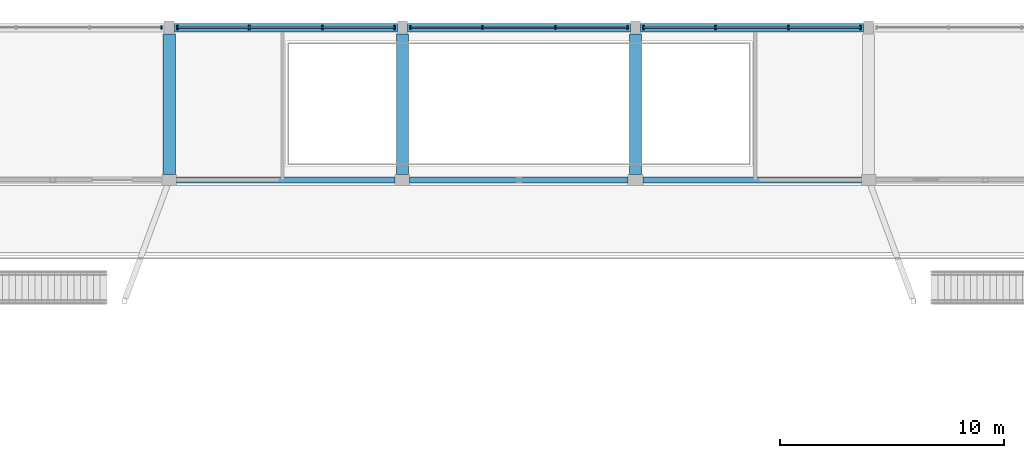
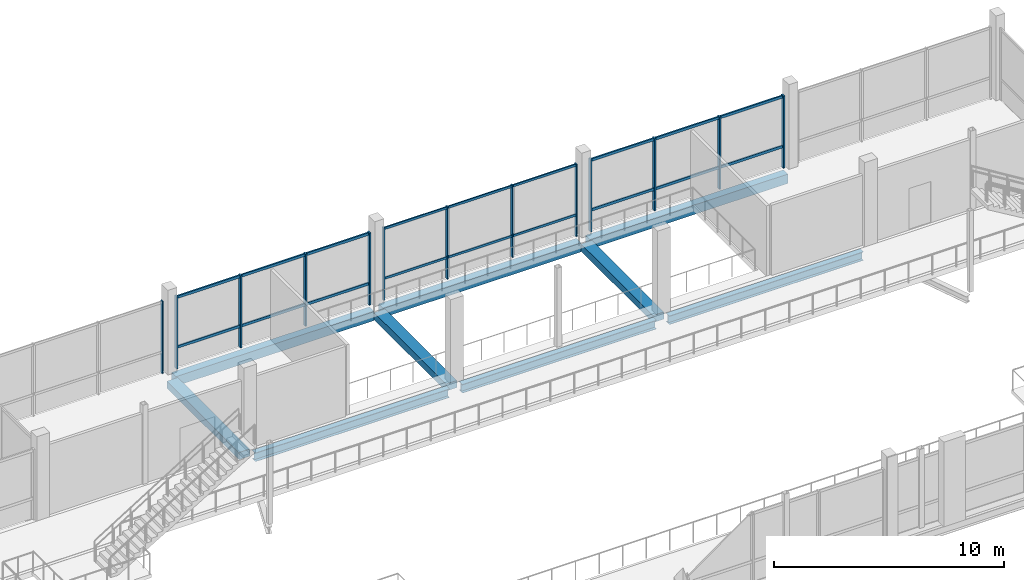
# One storey, part 30 of 95: 19 members, 9 beams, 4 elements without a shape of their own.
"""IFC4 building model written with IfcOpenShell, lengths in metres."""

from ifc_helpers import new_model, si_unit, derived_unit, direction, frame, origin, origin_2d, place, context, subcontext, project, spatial, rectangle, i_section, extrude, material, material_profile, profile_set, type_object, element, aggregate, save


model = new_model("IFC4")

# Units and contexts
model_context = context("Model", 3, precision=1e-05, world=origin(), true_north=direction((0.0, 1.0)))
body_context = subcontext(model_context, "Body", "Model", "MODEL_VIEW")
ifc_project = project(units=[si_unit("LENGTHUNIT", "METRE"), si_unit("AREAUNIT", "SQUARE_METRE"), si_unit("VOLUMEUNIT", "CUBIC_METRE"), si_unit("PLANEANGLEUNIT", "RADIAN"), si_unit("MASSUNIT", "GRAM", prefix="KILO"), derived_unit("THERMALTRANSMITTANCEUNIT", [(si_unit("POWERUNIT", "WATT"), 1), (si_unit("LENGTHUNIT", "METRE"), -2), (si_unit("THERMODYNAMICTEMPERATUREUNIT", "KELVIN"), -1)])], contexts=[model_context])

# Site, building, storey
site_placement = place(None, origin())
site = spatial("IfcSite", under=ifc_project, at=site_placement, CompositionType="ELEMENT")
building_placement = place(site_placement, origin())
building = spatial("IfcBuilding", under=site, at=building_placement, Name="Braskholm Square Health Centre", CompositionType="ELEMENT")
storey_placement = place(building_placement, frame((0.0, 0.0, 4.800048828125)))
storey = spatial("IfcBuildingStorey", under=building, at=storey_placement, Name="L02", CompositionType="ELEMENT", Elevation=4.800048828125)

# Curtain wall, member
ifc_material_1 = material(Name="Low-E triple insulating glass (VLT 0.64)", Category="glass")
curtain_wall_type = type_object("IfcCurtainWallType", Name="UnitisedCurtainWall6200x3800", PredefinedType="NOTDEFINED", material=ifc_material_1)
curtain_wall_1_placement = place(storey_placement, origin())
curtain_wall_1 = element("IfcCurtainWall", 1, at=curtain_wall_1_placement, inside=storey, type_object=curtain_wall_type, Name="Hydrotherapy North unitised curtain wall CW-L02-0242", PredefinedType="NOTDEFINED")
ifc_material_2 = material(Name="Architectural bronze anodised aluminium", Category="aluminium")
ifc_material_profile_1 = material_profile(ifc_material_2, rectangle(XDim=0.06494140625, YDim=0.14990234375, at=origin_2d()), Name="ALU-65X150")
ifc_profile_set_1 = profile_set([ifc_material_profile_1], Name="Architectural bronze anodised aluminium")
member_type_1 = type_object("IfcMemberType", Name="CurtainWallMullion65x150", PredefinedType="MULLION", material=ifc_profile_set_1)
member_1_placement = place(storey_placement, frame((68.041259765625, 113.800048828125, 0.0), z_axis=(0.0, 0.0, 1.0), x_axis=(1.0, 0.0, 0.0)))
member_1 = element("IfcMember", 2, at=member_1_placement, type_object=member_type_1, Name="CW-L02-0242 vertical mullion 1", PredefinedType="MULLION", context=body_context, shape_type="SweptSolid", body=[
    extrude(rectangle(XDim=0.06494140625, YDim=0.14990234375, at=origin_2d()), origin(), (0.0, 0.0, 1.0), 3.8369140625),
])
aggregate(curtain_wall_1, [member_1])

# Curtain wall, members
curtain_wall_2_placement = place(storey_placement, origin())
curtain_wall_2 = element("IfcCurtainWall", 3, at=curtain_wall_2_placement, inside=storey, type_object=curtain_wall_type, Name="Hydrotherapy North unitised curtain wall CW-L02-0244", PredefinedType="NOTDEFINED")
member_2_placement = place(storey_placement, frame((88.84130859375, 113.800048828125, 0.0), z_axis=(0.0, 0.0, 1.0), x_axis=(1.0, 0.0, 0.0)))
member_2 = element("IfcMember", 4, at=member_2_placement, type_object=member_type_1, Name="CW-L02-0244 vertical mullion 1", PredefinedType="MULLION", context=body_context, shape_type="SweptSolid", body=[
    extrude(rectangle(XDim=0.06494140625, YDim=0.14990234375, at=origin_2d()), origin(), (0.0, 0.0, 1.0), 3.8369140625),
])
member_3_placement = place(storey_placement, frame((85.63330078125, 113.800048828125, 0.0), z_axis=(0.0, 0.0, 1.0), x_axis=(1.0, 0.0, 0.0)))
member_3 = element("IfcMember", 5, at=member_3_placement, type_object=member_type_1, Name="CW-L02-0244 vertical mullion 2", PredefinedType="MULLION", context=body_context, shape_type="SweptSolid", body=[
    extrude(rectangle(XDim=0.06494140625, YDim=0.14990234375, at=origin_2d()), origin(), (0.0, 0.0, 1.0), 3.8369140625),
])
member_4_placement = place(storey_placement, frame((82.36669921875, 113.800048828125, 0.0), z_axis=(0.0, 0.0, 1.0), x_axis=(1.0, 0.0, 0.0)))
member_4 = element("IfcMember", 6, at=member_4_placement, type_object=member_type_1, Name="CW-L02-0244 vertical mullion 3", PredefinedType="MULLION", context=body_context, shape_type="SweptSolid", body=[
    extrude(rectangle(XDim=0.06494140625, YDim=0.14990234375, at=origin_2d()), origin(), (0.0, 0.0, 1.0), 3.8369140625),
])
member_5_placement = place(storey_placement, frame((79.15869140625, 113.800048828125, 0.0), z_axis=(0.0, 0.0, 1.0), x_axis=(1.0, 0.0, 0.0)))
member_5 = element("IfcMember", 7, at=member_5_placement, type_object=member_type_1, Name="CW-L02-0244 vertical mullion 4", PredefinedType="MULLION", context=body_context, shape_type="SweptSolid", body=[
    extrude(rectangle(XDim=0.06494140625, YDim=0.14990234375, at=origin_2d()), origin(), (0.0, 0.0, 1.0), 3.8369140625),
])

curtain_wall_3_placement = place(storey_placement, origin())
curtain_wall_3 = element("IfcCurtainWall", 8, at=curtain_wall_3_placement, inside=storey, type_object=curtain_wall_type, Name="Hydrotherapy North unitised curtain wall CW-L02-0243", PredefinedType="NOTDEFINED")
ifc_material_profile_2 = material_profile(ifc_material_2, rectangle(XDim=0.074951171875, YDim=0.179931640625, at=origin_2d()), Name="ALU-75X180")
ifc_profile_set_2 = profile_set([ifc_material_profile_2], Name="Architectural bronze anodised aluminium")
member_type_2 = type_object("IfcMemberType", Name="CurtainWallMullion75x180", PredefinedType="MULLION", material=ifc_profile_set_2)
member_6_placement = place(storey_placement, frame((78.441162109375, 113.800048828125, 0.0), z_axis=(0.0, 0.0, 1.0), x_axis=(1.0, 0.0, 0.0)))
member_6 = element("IfcMember", 9, at=member_6_placement, type_object=member_type_2, Name="CW-L02-0243 vertical mullion 1", PredefinedType="MULLION", context=body_context, shape_type="SweptSolid", body=[
    extrude(rectangle(XDim=0.074951171875, YDim=0.179931640625, at=origin_2d()), origin(), (0.0, 0.0, 1.0), 3.8369140625),
])
member_7_placement = place(storey_placement, frame((75.2333984375, 113.800048828125, 0.0), z_axis=(0.0, 0.0, 1.0), x_axis=(1.0, 0.0, 0.0)))
member_7 = element("IfcMember", 10, at=member_7_placement, type_object=member_type_2, Name="CW-L02-0243 vertical mullion 2", PredefinedType="MULLION", context=body_context, shape_type="SweptSolid", body=[
    extrude(rectangle(XDim=0.074951171875, YDim=0.179931640625, at=origin_2d()), origin(), (0.0, 0.0, 1.0), 3.8369140625),
])
member_8_placement = place(storey_placement, frame((71.966796875, 113.800048828125, 0.0), z_axis=(0.0, 0.0, 1.0), x_axis=(1.0, 0.0, 0.0)))
member_8 = element("IfcMember", 11, at=member_8_placement, type_object=member_type_2, Name="CW-L02-0243 vertical mullion 3", PredefinedType="MULLION", context=body_context, shape_type="SweptSolid", body=[
    extrude(rectangle(XDim=0.074951171875, YDim=0.179931640625, at=origin_2d()), origin(), (0.0, 0.0, 1.0), 3.8369140625),
])
member_9_placement = place(storey_placement, frame((68.7587890625, 113.800048828125, 0.0), z_axis=(0.0, 0.0, 1.0), x_axis=(1.0, 0.0, 0.0)))
member_9 = element("IfcMember", 12, at=member_9_placement, type_object=member_type_2, Name="CW-L02-0243 vertical mullion 4", PredefinedType="MULLION", context=body_context, shape_type="SweptSolid", body=[
    extrude(rectangle(XDim=0.074951171875, YDim=0.179931640625, at=origin_2d()), origin(), (0.0, 0.0, 1.0), 3.8369140625),
])

curtain_wall_4_placement = place(storey_placement, origin())
curtain_wall_4 = element("IfcCurtainWall", 13, at=curtain_wall_4_placement, inside=storey, type_object=curtain_wall_type, Name="Hydrotherapy North unitised curtain wall CW-L02-0245", PredefinedType="NOTDEFINED")
member_10_placement = place(storey_placement, frame((99.2412109375, 113.800048828125, 0.0), z_axis=(0.0, 0.0, 1.0), x_axis=(1.0, 0.0, 0.0)))
member_10 = element("IfcMember", 14, at=member_10_placement, type_object=member_type_2, Name="CW-L02-0245 vertical mullion 1", PredefinedType="MULLION", context=body_context, shape_type="SweptSolid", body=[
    extrude(rectangle(XDim=0.074951171875, YDim=0.179931640625, at=origin_2d()), origin(), (0.0, 0.0, 1.0), 3.8369140625),
])
member_11_placement = place(storey_placement, frame((96.033203125, 113.800048828125, 0.0), z_axis=(0.0, 0.0, 1.0), x_axis=(1.0, 0.0, 0.0)))
member_11 = element("IfcMember", 15, at=member_11_placement, type_object=member_type_2, Name="CW-L02-0245 vertical mullion 2", PredefinedType="MULLION", context=body_context, shape_type="SweptSolid", body=[
    extrude(rectangle(XDim=0.074951171875, YDim=0.179931640625, at=origin_2d()), origin(), (0.0, 0.0, 1.0), 3.8369140625),
])
member_12_placement = place(storey_placement, frame((92.7666015625, 113.800048828125, 0.0), z_axis=(0.0, 0.0, 1.0), x_axis=(1.0, 0.0, 0.0)))
member_12 = element("IfcMember", 16, at=member_12_placement, type_object=member_type_2, Name="CW-L02-0245 vertical mullion 3", PredefinedType="MULLION", context=body_context, shape_type="SweptSolid", body=[
    extrude(rectangle(XDim=0.074951171875, YDim=0.179931640625, at=origin_2d()), origin(), (0.0, 0.0, 1.0), 3.8369140625),
])
member_13_placement = place(storey_placement, frame((89.558837890625, 113.800048828125, 0.0), z_axis=(0.0, 0.0, 1.0), x_axis=(1.0, 0.0, 0.0)))
member_13 = element("IfcMember", 17, at=member_13_placement, type_object=member_type_2, Name="CW-L02-0245 vertical mullion 4", PredefinedType="MULLION", context=body_context, shape_type="SweptSolid", body=[
    extrude(rectangle(XDim=0.074951171875, YDim=0.179931640625, at=origin_2d()), origin(), (0.0, 0.0, 1.0), 3.8369140625),
])

# Member
ifc_material_profile_3 = material_profile(ifc_material_2, rectangle(XDim=0.06494140625, YDim=0.1201171875, at=origin_2d()), Name="ALU-65X120")
ifc_profile_set_3 = profile_set([ifc_material_profile_3], Name="Architectural bronze anodised aluminium")
member_type_3 = type_object("IfcMemberType", Name="CurtainWallTransom65x120", PredefinedType="USERDEFINED", material=ifc_profile_set_3)
member_14_placement = place(storey_placement, frame((88.85498046875, 113.800048828125, 1.119873046875), z_axis=(-1.0, 0.0, 0.0), x_axis=(0.0, -1.0, 0.0)))
member_14 = element("IfcMember", 18, at=member_14_placement, type_object=member_type_3, Name="CW-L02-0244 horizontal transom 1", ObjectType="TRANSOM", PredefinedType="USERDEFINED", context=body_context, shape_type="SweptSolid", body=[
    extrude(rectangle(XDim=0.06494140625, YDim=0.1201171875, at=origin_2d()), origin(), (0.0, 0.0, 1.0), 9.7099609375),
])

member_15_placement = place(storey_placement, frame((88.85498046875, 113.800048828125, 3.766845703125), z_axis=(-1.0, 0.0, 0.0), x_axis=(0.0, -1.0, 0.0)))
member_15 = element("IfcMember", 19, at=member_15_placement, type_object=member_type_3, Name="CW-L02-0244 horizontal transom 2", ObjectType="TRANSOM", PredefinedType="USERDEFINED", context=body_context, shape_type="SweptSolid", body=[
    extrude(rectangle(XDim=0.06494140625, YDim=0.1201171875, at=origin_2d()), origin(), (0.0, 0.0, 1.0), 9.7099609375),
])

aggregate(curtain_wall_2, [member_2, member_3, member_4, member_5, member_14, member_15])

ifc_material_profile_4 = material_profile(ifc_material_2, rectangle(XDim=0.074951171875, YDim=0.139892578125, at=origin_2d()), Name="ALU-75X140")
ifc_profile_set_4 = profile_set([ifc_material_profile_4], Name="Architectural bronze anodised aluminium")
member_type_4 = type_object("IfcMemberType", Name="CurtainWallTransom75x140", PredefinedType="USERDEFINED", material=ifc_profile_set_4)
member_16_placement = place(storey_placement, frame((78.455078125, 113.800048828125, 1.119873046875), z_axis=(-1.0, 0.0, 0.0), x_axis=(0.0, -1.0, 0.0)))
member_16 = element("IfcMember", 20, at=member_16_placement, type_object=member_type_4, Name="CW-L02-0243 horizontal transom 1", ObjectType="TRANSOM", PredefinedType="USERDEFINED", context=body_context, shape_type="SweptSolid", body=[
    extrude(rectangle(XDim=0.074951171875, YDim=0.139892578125, at=origin_2d()), origin(), (0.0, 0.0, 1.0), 9.7099609375),
])

member_17_placement = place(storey_placement, frame((78.455078125, 113.800048828125, 3.766845703125), z_axis=(-1.0, 0.0, 0.0), x_axis=(0.0, -1.0, 0.0)))
member_17 = element("IfcMember", 21, at=member_17_placement, type_object=member_type_4, Name="CW-L02-0243 horizontal transom 2", ObjectType="TRANSOM", PredefinedType="USERDEFINED", context=body_context, shape_type="SweptSolid", body=[
    extrude(rectangle(XDim=0.074951171875, YDim=0.139892578125, at=origin_2d()), origin(), (0.0, 0.0, 1.0), 9.7099609375),
])

aggregate(curtain_wall_3, [member_6, member_7, member_8, member_9, member_16, member_17])

member_18_placement = place(storey_placement, frame((99.2548828125, 113.800048828125, 1.119873046875), z_axis=(-1.0, 0.0, 0.0), x_axis=(0.0, -1.0, 0.0)))
member_18 = element("IfcMember", 22, at=member_18_placement, type_object=member_type_4, Name="CW-L02-0245 horizontal transom 1", ObjectType="TRANSOM", PredefinedType="USERDEFINED", context=body_context, shape_type="SweptSolid", body=[
    extrude(rectangle(XDim=0.074951171875, YDim=0.139892578125, at=origin_2d()), origin(), (0.0, 0.0, 1.0), 9.7099609375),
])

member_19_placement = place(storey_placement, frame((99.2548828125, 113.800048828125, 3.766845703125), z_axis=(-1.0, 0.0, 0.0), x_axis=(0.0, -1.0, 0.0)))
member_19 = element("IfcMember", 23, at=member_19_placement, type_object=member_type_4, Name="CW-L02-0245 horizontal transom 2", ObjectType="TRANSOM", PredefinedType="USERDEFINED", context=body_context, shape_type="SweptSolid", body=[
    extrude(rectangle(XDim=0.074951171875, YDim=0.139892578125, at=origin_2d()), origin(), (0.0, 0.0, 1.0), 9.7099609375),
])

aggregate(curtain_wall_4, [member_10, member_11, member_12, member_13, member_18, member_19])

# Beams
ifc_material_3 = material(Name="Concrete C35/45 (f'c = 35 MPa)", Category="concrete")
ifc_material_profile_5 = material_profile(ifc_material_3, rectangle(XDim=0.550048828125, YDim=0.3798828125, at=origin_2d()), Name="RCB-550X380")
ifc_profile_set_5 = profile_set([ifc_material_profile_5], Name="Concrete C35/45 (f'c = 35 MPa)")
beam_type_1 = type_object("IfcBeamType", Name="PrimaryBandBeam550x380", PredefinedType="BEAM", material=ifc_profile_set_5)
for number, where, z_axis, x_axis, name in (
    (24, (68.39990234375, 107.25, -0.489990234375), (0.0, 1.0, 0.0), (-1.0, 0.0, 0.0), "Beam 10/R-S L02"),
    (25, (78.800048828125, 107.25, -0.489990234375), (0.0, 1.0, 0.0), (-1.0, 0.0, 0.0), "Beam 11/R-S L02"),
    (26, (89.199951171875, 107.25, -0.489990234375), (0.0, 1.0, 0.0), (-1.0, 0.0, 0.0), "Beam 12/R-S L02"),
):
    element("IfcBeam", number, at=place(storey_placement, frame(where, z_axis=z_axis, x_axis=x_axis)), inside=storey, type_object=beam_type_1, Name=name, PredefinedType="BEAM", context=body_context, shape_type="SweptSolid", body=[
        extrude(rectangle(XDim=0.550048828125, YDim=0.3798828125, at=origin_2d()), origin(), (0.0, 0.0, 1.0), 6.27001953125),
    ])
ifc_material_4 = material(Name="Precast concrete C40/50 architectural white", Category="concrete")
ifc_material_profile_6 = material_profile(ifc_material_4, rectangle(XDim=0.3798828125, YDim=0.5, at=origin_2d()), Name="RCB-380X500")
ifc_profile_set_6 = profile_set([ifc_material_profile_6], Name="Precast concrete C40/50 architectural white")
beam_type_2 = type_object("IfcBeamType", Name="SpandrelPrecastEdge380x500", PredefinedType="SPANDREL", material=ifc_profile_set_6)
beam_1_placement = place(storey_placement, frame((68.6298828125, 113.800048828125, -0.550048828125), z_axis=(1.0, 0.0, 0.0), x_axis=(0.0, 1.0, 0.0)))
element("IfcBeam", 27, at=beam_1_placement, inside=storey, type_object=beam_type_2, Name="Beam 10-11/S L02", PredefinedType="SPANDREL", context=body_context, shape_type="SweptSolid", body=[
    extrude(rectangle(XDim=0.3798828125, YDim=0.5, at=origin_2d()), origin(), (0.0, 0.0, 1.0), 9.940185546875),
])
beam_2_placement = place(storey_placement, frame((79.030029296875, 113.800048828125, -0.550048828125), z_axis=(1.0, 0.0, 0.0), x_axis=(0.0, 1.0, 0.0)))
element("IfcBeam", 28, at=beam_2_placement, inside=storey, type_object=beam_type_2, Name="Beam 11-12/S L02", PredefinedType="SPANDREL", context=body_context, shape_type="SweptSolid", body=[
    extrude(rectangle(XDim=0.3798828125, YDim=0.5, at=origin_2d()), origin(), (0.0, 0.0, 1.0), 9.93994140625),
])
beam_3_placement = place(storey_placement, frame((89.429931640625, 113.800048828125, -0.550048828125), z_axis=(1.0, 0.0, 0.0), x_axis=(0.0, 1.0, 0.0)))
element("IfcBeam", 29, at=beam_3_placement, inside=storey, type_object=beam_type_2, Name="Beam 12-13/S L02", PredefinedType="SPANDREL", context=body_context, shape_type="SweptSolid", body=[
    extrude(rectangle(XDim=0.3798828125, YDim=0.5, at=origin_2d()), origin(), (0.0, 0.0, 1.0), 9.940185546875),
])
ifc_material_5 = material(Name="Steel ASTM A992 Grade 50", Category="steel")
ifc_material_profile_7 = material_profile(ifc_material_5, i_section(OverallWidth=0.280029296875, OverallDepth=0.462890625, WebThickness=0.0107421875, FlangeThickness=0.017333984375, at=origin_2d()), Name="W18X76")
ifc_profile_set_7 = profile_set([ifc_material_profile_7], Name="Steel ASTM A992 Grade 50")
beam_type_3 = type_object("IfcBeamType", Name="SteelGirderGalleryW18X76", PredefinedType="BEAM", material=ifc_profile_set_7)
for number, where, z_axis, x_axis, name in (
    (30, (68.72509765625, 107.0, -0.531494140625), (1.0, 0.0, 0.0), (0.0, 1.0, 0.0), "Beam 10-11/R L02"),
    (31, (79.125, 107.0, -0.531494140625), (1.0, 0.0, 0.0), (0.0, 1.0, 0.0), "Beam 11-12/R L02"),
    (32, (89.52490234375, 107.0, -0.531494140625), (1.0, 0.0, 0.0), (0.0, 1.0, 0.0), "Beam 12-13/R L02"),
):
    element("IfcBeam", number, at=place(storey_placement, frame(where, z_axis=z_axis, x_axis=x_axis)), inside=storey, type_object=beam_type_3, Name=name, PredefinedType="BEAM", context=body_context, shape_type="SweptSolid", body=[
        extrude(i_section(OverallWidth=0.280029296875, OverallDepth=0.462890625, WebThickness=0.0107421875, FlangeThickness=0.017333984375, at=origin_2d()), origin(), (0.0, 0.0, 1.0), 9.75),
    ])

save(model, "model.ifc")
